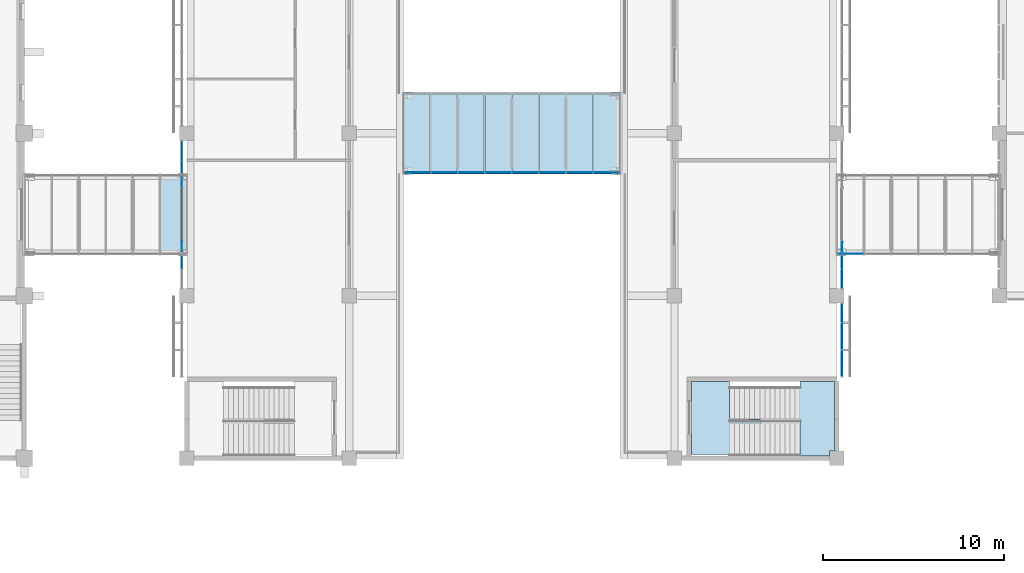
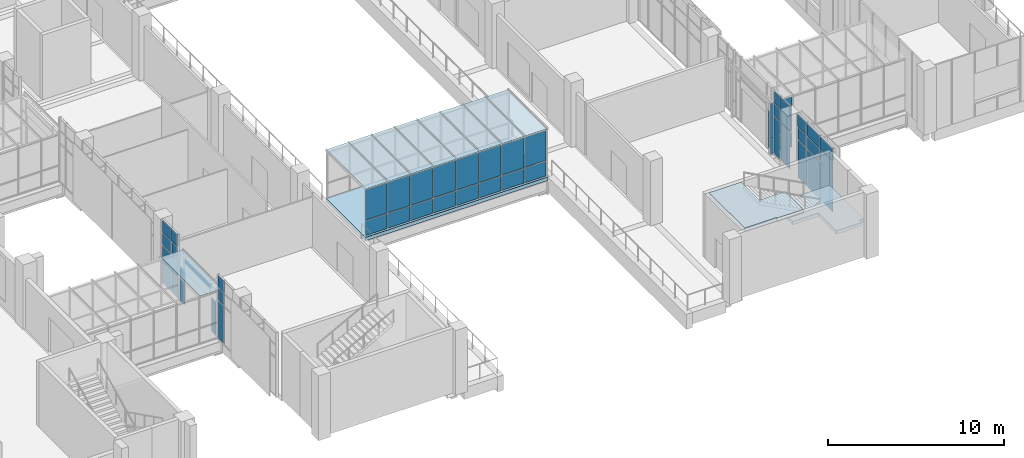
# One storey, part 42 of 88: 55 plates, 3 slabs, 11 elements without a shape of their own.
"""IFC4 building model written with IfcOpenShell, lengths in metres."""

from ifc_helpers import new_model, si_unit, direction, frame, origin, origin_2d, place, context, subcontext, project, spatial, polyline, rectangle, outline, extrude, material, layer, layer_set, type_object, element, aggregate, save


model = new_model("IFC4")

# Units and contexts
model_context = context("Model", 3, precision=1e-05, world=origin(), true_north=direction((0.0, 1.0)))
body_context = subcontext(model_context, "Body", "Model", "MODEL_VIEW")
ifc_project = project(units=[si_unit("LENGTHUNIT", "METRE"), si_unit("AREAUNIT", "SQUARE_METRE"), si_unit("VOLUMEUNIT", "CUBIC_METRE"), si_unit("PLANEANGLEUNIT", "RADIAN"), si_unit("MASSUNIT", "GRAM", prefix="KILO")], contexts=[model_context])

# Site, building, storey
site_placement = place(None, origin())
site = spatial("IfcSite", under=ifc_project, at=site_placement, CompositionType="ELEMENT")
building_placement = place(site_placement, origin())
building = spatial("IfcBuilding", under=site, at=building_placement, Name="Guidao Yard Department Store", CompositionType="ELEMENT")
storey_placement = place(building_placement, frame((0.0, 0.0, 6.0)))
storey = spatial("IfcBuildingStorey", under=building, at=storey_placement, Name="L01", CompositionType="ELEMENT", Elevation=6.0)

# Slab
ifc_material_1 = material(Name="Concrete C35", Category="concrete")
ifc_layer_1 = layer(ifc_material_1, 0.25)
ifc_layer_set_1 = layer_set([ifc_layer_1], Name="Bridge deck slab 250 C35")
slab_type_1 = type_object("IfcSlabType", Name="Bridge deck slab 250 C35", PredefinedType="FLOOR", material=ifc_layer_set_1)
slab_1_placement = place(storey_placement, frame((0.0, 0.0, -0.25)))
element("IfcSlab", 1, at=slab_1_placement, inside=storey, type_object=slab_type_1, Name="Slab BR09", PredefinedType="FLOOR", context=body_context, shape_type="SweptSolid", body=[
    extrude(outline(polyline([(95.985107421875, 60.75), (84.0, 60.75), (84.0, 65.25), (95.985107421875, 65.25), (95.985107421875, 60.75)])), origin(), (0.0, 0.0, 1.0), 0.25),
])

# Curtain wall, plate
ifc_material_2 = material(Name="Aluminium and glass", Category="aluminium")
ifc_layer_2 = layer(ifc_material_2, 0.159912109375)
ifc_layer_set_2 = layer_set([ifc_layer_2], Name="Bridge glazing CW5 1500 module")
curtain_wall_type_1 = type_object("IfcCurtainWallType", Name="Bridge glazing CW5 1500 module", PredefinedType="NOTDEFINED", material=ifc_layer_set_2)
curtain_wall_1_placement = place(storey_placement, origin())
curtain_wall_1 = element("IfcCurtainWall", 2, at=curtain_wall_1_placement, inside=storey, type_object=curtain_wall_type_1, Name="Bridge roof glazing BR01", PredefinedType="NOTDEFINED")
ifc_material_3 = material(Name="Laminated glass", Category="glass")
ifc_layer_3 = layer(ifc_material_3, 0.017578125)
ifc_layer_set_3 = layer_set([ifc_layer_3], Name="Bridge roof glass BG1 laminated 8+8 fritted")
plate_type_1 = type_object("IfcPlateType", Name="Bridge roof glass BG1 laminated 8+8 fritted", PredefinedType="CURTAIN_PANEL", material=ifc_layer_set_3)
plate_1_placement = place(storey_placement, frame((71.257568359375, 58.5, 3.34130859375), z_axis=(0.0, 0.0, 1.0), x_axis=(1.0, 0.0, 0.0)))
plate_1 = element("IfcPlate", 3, at=plate_1_placement, type_object=plate_type_1, Name="Bridge roof glass BR01", PredefinedType="CURTAIN_PANEL", context=body_context, shape_type="SweptSolid", body=[
    extrude(rectangle(XDim=1.425048828125, YDim=4.5, at=origin_2d()), origin(), (0.0, 0.0, 1.0), 0.017578125),
])
aggregate(curtain_wall_1, [plate_1])

# Curtain wall, plates
curtain_wall_2_placement = place(storey_placement, origin())
curtain_wall_2 = element("IfcCurtainWall", 4, at=curtain_wall_2_placement, inside=storey, type_object=curtain_wall_type_1, Name="Bridge roof glazing BR09", PredefinedType="NOTDEFINED")
plate_2_placement = place(storey_placement, frame((84.75, 63.0, 3.34130859375), z_axis=(0.0, 0.0, 1.0), x_axis=(1.0, 0.0, 0.0)))
plate_2 = element("IfcPlate", 5, at=plate_2_placement, type_object=plate_type_1, Name="Bridge roof glass BR09", PredefinedType="CURTAIN_PANEL", context=body_context, shape_type="SweptSolid", body=[
    extrude(rectangle(XDim=1.43994140625, YDim=4.5, at=origin_2d()), origin(), (0.0, 0.0, 1.0), 0.017578125),
])
plate_3_placement = place(storey_placement, frame((86.25, 63.0, 3.34130859375), z_axis=(0.0, 0.0, 1.0), x_axis=(1.0, 0.0, 0.0)))
plate_3 = element("IfcPlate", 6, at=plate_3_placement, type_object=plate_type_1, Name="Bridge roof glass BR09", PredefinedType="CURTAIN_PANEL", context=body_context, shape_type="SweptSolid", body=[
    extrude(rectangle(XDim=1.43994140625, YDim=4.5, at=origin_2d()), origin(), (0.0, 0.0, 1.0), 0.017578125),
])
plate_4_placement = place(storey_placement, frame((87.75, 63.0, 3.34130859375), z_axis=(0.0, 0.0, 1.0), x_axis=(1.0, 0.0, 0.0)))
plate_4 = element("IfcPlate", 7, at=plate_4_placement, type_object=plate_type_1, Name="Bridge roof glass BR09", PredefinedType="CURTAIN_PANEL", context=body_context, shape_type="SweptSolid", body=[
    extrude(rectangle(XDim=1.43994140625, YDim=4.5, at=origin_2d()), origin(), (0.0, 0.0, 1.0), 0.017578125),
])
plate_5_placement = place(storey_placement, frame((89.25, 63.0, 3.34130859375), z_axis=(0.0, 0.0, 1.0), x_axis=(1.0, 0.0, 0.0)))
plate_5 = element("IfcPlate", 8, at=plate_5_placement, type_object=plate_type_1, Name="Bridge roof glass BR09", PredefinedType="CURTAIN_PANEL", context=body_context, shape_type="SweptSolid", body=[
    extrude(rectangle(XDim=1.43994140625, YDim=4.5, at=origin_2d()), origin(), (0.0, 0.0, 1.0), 0.017578125),
])
plate_6_placement = place(storey_placement, frame((90.75, 63.0, 3.34130859375), z_axis=(0.0, 0.0, 1.0), x_axis=(1.0, 0.0, 0.0)))
plate_6 = element("IfcPlate", 9, at=plate_6_placement, type_object=plate_type_1, Name="Bridge roof glass BR09", PredefinedType="CURTAIN_PANEL", context=body_context, shape_type="SweptSolid", body=[
    extrude(rectangle(XDim=1.43994140625, YDim=4.5, at=origin_2d()), origin(), (0.0, 0.0, 1.0), 0.017578125),
])
plate_7_placement = place(storey_placement, frame((92.25, 63.0, 3.34130859375), z_axis=(0.0, 0.0, 1.0), x_axis=(1.0, 0.0, 0.0)))
plate_7 = element("IfcPlate", 10, at=plate_7_placement, type_object=plate_type_1, Name="Bridge roof glass BR09", PredefinedType="CURTAIN_PANEL", context=body_context, shape_type="SweptSolid", body=[
    extrude(rectangle(XDim=1.43994140625, YDim=4.5, at=origin_2d()), origin(), (0.0, 0.0, 1.0), 0.017578125),
])
plate_8_placement = place(storey_placement, frame((93.75, 63.0, 3.34130859375), z_axis=(0.0, 0.0, 1.0), x_axis=(1.0, 0.0, 0.0)))
plate_8 = element("IfcPlate", 11, at=plate_8_placement, type_object=plate_type_1, Name="Bridge roof glass BR09", PredefinedType="CURTAIN_PANEL", context=body_context, shape_type="SweptSolid", body=[
    extrude(rectangle(XDim=1.43994140625, YDim=4.5, at=origin_2d()), origin(), (0.0, 0.0, 1.0), 0.017578125),
])
plate_9_placement = place(storey_placement, frame((95.242431640625, 63.0, 3.34130859375), z_axis=(0.0, 0.0, 1.0), x_axis=(1.0, 0.0, 0.0)))
plate_9 = element("IfcPlate", 12, at=plate_9_placement, type_object=plate_type_1, Name="Bridge roof glass BR09", PredefinedType="CURTAIN_PANEL", context=body_context, shape_type="SweptSolid", body=[
    extrude(rectangle(XDim=1.425048828125, YDim=4.5, at=origin_2d()), origin(), (0.0, 0.0, 1.0), 0.017578125),
])
aggregate(curtain_wall_2, [plate_2, plate_3, plate_4, plate_5, plate_6, plate_7, plate_8, plate_9])

# Curtain wall, plate
ifc_material_4 = material(Name="Aluminium and glass", Category="aluminium")
ifc_layer_4 = layer(ifc_material_4, 0.159912109375)
ifc_layer_set_4 = layer_set([ifc_layer_4], Name="Shopfront curtain wall CW1 1500 module")
curtain_wall_type_2 = type_object("IfcCurtainWallType", Name="Shopfront curtain wall CW1 1500 module", PredefinedType="NOTDEFINED", material=ifc_layer_set_4)
curtain_wall_3_placement = place(storey_placement, origin())
curtain_wall_3 = element("IfcCurtainWall", 13, at=curtain_wall_3_placement, inside=storey, type_object=curtain_wall_type_2, Name="Arcade shop front", PredefinedType="NOTDEFINED")
ifc_material_5 = material(Name="Aluminium 6063-T5 faced insulated spandrel", Category="aluminium")
ifc_layer_5 = layer(ifc_material_5, 0.06005859375)
ifc_layer_set_5 = layer_set([ifc_layer_5], Name="Spandrel panel SP1 insulated opaque")
plate_type_2 = type_object("IfcPlateType", Name="Spandrel panel SP1 insulated opaque", PredefinedType="CURTAIN_PANEL", material=ifc_layer_set_5)
plate_10_placement = place(storey_placement, frame((71.719970703125, 55.860107421875, 3.6298828125), z_axis=(0.0, 0.0, 1.0), x_axis=(0.0, 1.0, 0.0)))
plate_10 = element("IfcPlate", 14, at=plate_10_placement, type_object=plate_type_2, Name="CW-AS-L01-02 panel 2.3", PredefinedType="CURTAIN_PANEL", context=body_context, shape_type="SweptSolid", body=[
    extrude(rectangle(XDim=0.659912109375, YDim=0.06005859375, at=origin_2d()), origin(), (0.0, 0.0, 1.0), 0.81005859375),
])

curtain_wall_4_placement = place(storey_placement, origin())
curtain_wall_4 = element("IfcCurtainWall", 15, at=curtain_wall_4_placement, inside=storey, type_object=curtain_wall_type_2, Name="Arcade shop front", PredefinedType="NOTDEFINED")
plate_11_placement = place(storey_placement, frame((71.719970703125, 58.5, 3.02978515625), z_axis=(0.0, 0.0, 1.0), x_axis=(0.0, 1.0, 0.0)))
plate_11 = element("IfcPlate", 16, at=plate_11_placement, type_object=plate_type_2, Name="CW-AS-L01-03 panel 2.2", PredefinedType="CURTAIN_PANEL", context=body_context, shape_type="SweptSolid", body=[
    extrude(rectangle(XDim=2.93994140625, YDim=0.06005859375, at=origin_2d()), origin(), (0.0, 0.0, 1.0), 0.260009765625),
])

# Curtain wall, plates
curtain_wall_5_placement = place(storey_placement, origin())
curtain_wall_5 = element("IfcCurtainWall", 17, at=curtain_wall_5_placement, inside=storey, type_object=curtain_wall_type_2, Name="Arcade shop front", PredefinedType="NOTDEFINED")
plate_12_placement = place(storey_placement, frame((71.719970703125, 61.139892578125, 3.6298828125), z_axis=(0.0, 0.0, 1.0), x_axis=(0.0, 1.0, 0.0)))
plate_12 = element("IfcPlate", 18, at=plate_12_placement, type_object=plate_type_2, Name="CW-AS-L01-04 panel 1.3", PredefinedType="CURTAIN_PANEL", context=body_context, shape_type="SweptSolid", body=[
    extrude(rectangle(XDim=0.659912109375, YDim=0.06005859375, at=origin_2d()), origin(), (0.0, 0.0, 1.0), 0.81005859375),
])
plate_13_placement = place(storey_placement, frame((71.719970703125, 62.034912109375, 3.6298828125), z_axis=(0.0, 0.0, 1.0), x_axis=(0.0, 1.0, 0.0)))
plate_13 = element("IfcPlate", 19, at=plate_13_placement, type_object=plate_type_2, Name="CW-AS-L01-04 panel 2.3", PredefinedType="CURTAIN_PANEL", context=body_context, shape_type="SweptSolid", body=[
    extrude(rectangle(XDim=1.010009765625, YDim=0.06005859375, at=origin_2d()), origin(), (0.0, 0.0, 1.0), 0.81005859375),
])

curtain_wall_6_placement = place(storey_placement, origin())
curtain_wall_6 = element("IfcCurtainWall", 20, at=curtain_wall_6_placement, inside=storey, type_object=curtain_wall_type_2, Name="Arcade shop front", PredefinedType="NOTDEFINED")
plate_14_placement = place(storey_placement, frame((108.280029296875, 50.264892578125, 3.6298828125), z_axis=(0.0, 0.0, 1.0), x_axis=(0.0, -1.0, 0.0)))
plate_14 = element("IfcPlate", 21, at=plate_14_placement, type_object=plate_type_2, Name="CW-AS-L01-12 panel 1.3", PredefinedType="CURTAIN_PANEL", context=body_context, shape_type="SweptSolid", body=[
    extrude(rectangle(XDim=1.409912109375, YDim=0.06005859375, at=origin_2d()), origin(), (0.0, 0.0, 1.0), 0.81005859375),
])
plate_15_placement = place(storey_placement, frame((108.280029296875, 51.75, 3.6298828125), z_axis=(0.0, 0.0, 1.0), x_axis=(0.0, -1.0, 0.0)))
plate_15 = element("IfcPlate", 22, at=plate_15_placement, type_object=plate_type_2, Name="CW-AS-L01-12 panel 2.3", PredefinedType="CURTAIN_PANEL", context=body_context, shape_type="SweptSolid", body=[
    extrude(rectangle(XDim=1.43994140625, YDim=0.06005859375, at=origin_2d()), origin(), (0.0, 0.0, 1.0), 0.81005859375),
])
plate_16_placement = place(storey_placement, frame((108.280029296875, 53.034912109375, 3.6298828125), z_axis=(0.0, 0.0, 1.0), x_axis=(0.0, -1.0, 0.0)))
plate_16 = element("IfcPlate", 23, at=plate_16_placement, type_object=plate_type_2, Name="CW-AS-L01-12 panel 3.3", PredefinedType="CURTAIN_PANEL", context=body_context, shape_type="SweptSolid", body=[
    extrude(rectangle(XDim=1.010009765625, YDim=0.06005859375, at=origin_2d()), origin(), (0.0, 0.0, 1.0), 0.81005859375),
])

curtain_wall_7_placement = place(storey_placement, origin())
curtain_wall_7 = element("IfcCurtainWall", 24, at=curtain_wall_7_placement, inside=storey, type_object=curtain_wall_type_2, Name="Arcade shop front", PredefinedType="NOTDEFINED")
plate_17_placement = place(storey_placement, frame((108.280029296875, 54.965087890625, 3.6298828125), z_axis=(0.0, 0.0, 1.0), x_axis=(0.0, -1.0, 0.0)))
plate_17 = element("IfcPlate", 25, at=plate_17_placement, type_object=plate_type_2, Name="CW-AS-L01-13 panel 1.3", PredefinedType="CURTAIN_PANEL", context=body_context, shape_type="SweptSolid", body=[
    extrude(rectangle(XDim=1.010009765625, YDim=0.06005859375, at=origin_2d()), origin(), (0.0, 0.0, 1.0), 0.81005859375),
])
plate_18_placement = place(storey_placement, frame((108.280029296875, 55.860107421875, 3.6298828125), z_axis=(0.0, 0.0, 1.0), x_axis=(0.0, -1.0, 0.0)))
plate_18 = element("IfcPlate", 26, at=plate_18_placement, type_object=plate_type_2, Name="CW-AS-L01-13 panel 2.3", PredefinedType="CURTAIN_PANEL", context=body_context, shape_type="SweptSolid", body=[
    extrude(rectangle(XDim=0.659912109375, YDim=0.06005859375, at=origin_2d()), origin(), (0.0, 0.0, 1.0), 0.81005859375),
])

# Stair, slabs
ifc_material_6 = material(Name="Concrete C35", Category="concrete")
stair_type = type_object("IfcStairType", Name="Stair half-turn two-flight 1800 wide 4.5 m rise", PredefinedType="HALF_TURN_STAIR", material=ifc_material_6)
stair_placement = place(storey_placement, origin())
stair = element("IfcStair", 27, at=stair_placement, inside=storey, type_object=stair_type, Name="Stair G3 L01 to L02", PredefinedType="HALF_TURN_STAIR")
ifc_material_7 = material(Name="Concrete C35", Category="concrete")
ifc_layer_6 = layer(ifc_material_7, 0.25)
ifc_layer_set_6 = layer_set([ifc_layer_6], Name="Stair landing RC 250 C35")
slab_type_2 = type_object("IfcSlabType", Name="Stair landing RC 250 C35", PredefinedType="LANDING", material=ifc_layer_set_6)
slab_2_placement = place(storey_placement, frame((0.0, 0.0, 2.0)))
slab_2 = element("IfcSlab", 28, at=slab_2_placement, type_object=slab_type_2, Name="SG3-L01 landing 1", PredefinedType="LANDING", context=body_context, shape_type="SweptSolid", body=[
    extrude(outline(polyline([(105.9599609375, 47.175048828125), (104.251953125, 47.175048828125), (104.251953125, 48.97509765625), (105.969970703125, 48.97509765625), (105.969970703125, 49.25), (107.875, 49.25), (107.875, 45.39990234375), (107.60009765625, 45.39990234375), (107.60009765625, 45.125), (105.969970703125, 45.125), (105.9599609375, 45.125), (105.9599609375, 47.175048828125)])), origin(), (0.0, 0.0, 1.0), 0.25),
])
slab_3_placement = place(storey_placement, frame((0.0, 0.0, 4.25)))
slab_3 = element("IfcSlab", 29, at=slab_3_placement, type_object=slab_type_2, Name="SG3-L01 landing 2", PredefinedType="LANDING", context=body_context, shape_type="SweptSolid", body=[
    extrude(outline(polyline([(103.76806640625, 45.125), (102.050048828125, 45.125), (102.050048828125, 45.199951171875), (99.949951171875, 45.199951171875), (99.949951171875, 47.175048828125), (99.949951171875, 49.25), (102.06005859375, 49.25), (102.06005859375, 47.175048828125), (103.76806640625, 47.175048828125), (103.76806640625, 45.125)])), origin(), (0.0, 0.0, 1.0), 0.25),
])
aggregate(stair, [slab_2, slab_3])

# Plate
ifc_material_8 = material(Name="Laminated heat-soaked tempered glass", Category="glass")
ifc_layer_7 = layer(ifc_material_8, 0.017578125)
ifc_layer_set_7 = layer_set([ifc_layer_7], Name="Vision glass VG1 laminated heat-soaked tempered 8+8")
plate_type_3 = type_object("IfcPlateType", Name="Vision glass VG1 laminated heat-soaked tempered 8+8", PredefinedType="CURTAIN_PANEL", material=ifc_layer_set_7)
plate_19_placement = place(storey_placement, frame((71.719970703125, 55.860107421875, 0.06005859375), z_axis=(0.0, 0.0, 1.0), x_axis=(0.0, 1.0, 0.0)))
plate_19 = element("IfcPlate", 30, at=plate_19_placement, type_object=plate_type_3, Name="CW-AS-L01-02 panel 2.1", PredefinedType="CURTAIN_PANEL", context=body_context, shape_type="SweptSolid", body=[
    extrude(rectangle(XDim=0.659912109375, YDim=0.017578125, at=origin_2d()), origin(), (0.0, 0.0, 1.0), 2.610107421875),
])

plate_20_placement = place(storey_placement, frame((71.719970703125, 55.860107421875, 2.72998046875), z_axis=(0.0, 0.0, 1.0), x_axis=(0.0, 1.0, 0.0)))
plate_20 = element("IfcPlate", 31, at=plate_20_placement, type_object=plate_type_3, Name="CW-AS-L01-02 panel 2.2", PredefinedType="CURTAIN_PANEL", context=body_context, shape_type="SweptSolid", body=[
    extrude(rectangle(XDim=0.659912109375, YDim=0.017578125, at=origin_2d()), origin(), (0.0, 0.0, 1.0), 0.840087890625),
])

aggregate(curtain_wall_3, [plate_19, plate_20, plate_10])

plate_21_placement = place(storey_placement, frame((71.719970703125, 56.719970703125, 0.06005859375), z_axis=(0.0, 0.0, 1.0), x_axis=(0.0, 1.0, 0.0)))
plate_21 = element("IfcPlate", 32, at=plate_21_placement, type_object=plate_type_3, Name="CW-AS-L01-03 panel 1.1", PredefinedType="CURTAIN_PANEL", context=body_context, shape_type="SweptSolid", body=[
    extrude(rectangle(XDim=0.5, YDim=0.017578125, at=origin_2d()), origin(), (0.0, 0.0, 1.0), 2.360107421875),
])

plate_22_placement = place(storey_placement, frame((71.719970703125, 60.280029296875, 0.06005859375), z_axis=(0.0, 0.0, 1.0), x_axis=(0.0, 1.0, 0.0)))
plate_22 = element("IfcPlate", 33, at=plate_22_placement, type_object=plate_type_3, Name="CW-AS-L01-03 panel 3.1", PredefinedType="CURTAIN_PANEL", context=body_context, shape_type="SweptSolid", body=[
    extrude(rectangle(XDim=0.5, YDim=0.017578125, at=origin_2d()), origin(), (0.0, 0.0, 1.0), 2.360107421875),
])

aggregate(curtain_wall_4, [plate_21, plate_11, plate_22])

plate_23_placement = place(storey_placement, frame((71.719970703125, 61.139892578125, 0.06005859375), z_axis=(0.0, 0.0, 1.0), x_axis=(0.0, 1.0, 0.0)))
plate_23 = element("IfcPlate", 34, at=plate_23_placement, type_object=plate_type_3, Name="CW-AS-L01-04 panel 1.1", PredefinedType="CURTAIN_PANEL", context=body_context, shape_type="SweptSolid", body=[
    extrude(rectangle(XDim=0.659912109375, YDim=0.017578125, at=origin_2d()), origin(), (0.0, 0.0, 1.0), 2.610107421875),
])

plate_24_placement = place(storey_placement, frame((71.719970703125, 61.139892578125, 2.72998046875), z_axis=(0.0, 0.0, 1.0), x_axis=(0.0, 1.0, 0.0)))
plate_24 = element("IfcPlate", 35, at=plate_24_placement, type_object=plate_type_3, Name="CW-AS-L01-04 panel 1.2", PredefinedType="CURTAIN_PANEL", context=body_context, shape_type="SweptSolid", body=[
    extrude(rectangle(XDim=0.659912109375, YDim=0.017578125, at=origin_2d()), origin(), (0.0, 0.0, 1.0), 0.840087890625),
])

plate_25_placement = place(storey_placement, frame((71.719970703125, 62.034912109375, 0.06005859375), z_axis=(0.0, 0.0, 1.0), x_axis=(0.0, 1.0, 0.0)))
plate_25 = element("IfcPlate", 36, at=plate_25_placement, type_object=plate_type_3, Name="CW-AS-L01-04 panel 2.1", PredefinedType="CURTAIN_PANEL", context=body_context, shape_type="SweptSolid", body=[
    extrude(rectangle(XDim=1.010009765625, YDim=0.017578125, at=origin_2d()), origin(), (0.0, 0.0, 1.0), 2.610107421875),
])

plate_26_placement = place(storey_placement, frame((71.719970703125, 62.034912109375, 2.72998046875), z_axis=(0.0, 0.0, 1.0), x_axis=(0.0, 1.0, 0.0)))
plate_26 = element("IfcPlate", 37, at=plate_26_placement, type_object=plate_type_3, Name="CW-AS-L01-04 panel 2.2", PredefinedType="CURTAIN_PANEL", context=body_context, shape_type="SweptSolid", body=[
    extrude(rectangle(XDim=1.010009765625, YDim=0.017578125, at=origin_2d()), origin(), (0.0, 0.0, 1.0), 0.840087890625),
])

aggregate(curtain_wall_5, [plate_23, plate_24, plate_12, plate_25, plate_26, plate_13])

plate_27_placement = place(storey_placement, frame((108.280029296875, 50.264892578125, 0.06005859375), z_axis=(0.0, 0.0, 1.0), x_axis=(0.0, -1.0, 0.0)))
plate_27 = element("IfcPlate", 38, at=plate_27_placement, type_object=plate_type_3, Name="CW-AS-L01-12 panel 1.1", PredefinedType="CURTAIN_PANEL", context=body_context, shape_type="SweptSolid", body=[
    extrude(rectangle(XDim=1.409912109375, YDim=0.017578125, at=origin_2d()), origin(), (0.0, 0.0, 1.0), 2.610107421875),
])

plate_28_placement = place(storey_placement, frame((108.280029296875, 50.264892578125, 2.72998046875), z_axis=(0.0, 0.0, 1.0), x_axis=(0.0, -1.0, 0.0)))
plate_28 = element("IfcPlate", 39, at=plate_28_placement, type_object=plate_type_3, Name="CW-AS-L01-12 panel 1.2", PredefinedType="CURTAIN_PANEL", context=body_context, shape_type="SweptSolid", body=[
    extrude(rectangle(XDim=1.409912109375, YDim=0.017578125, at=origin_2d()), origin(), (0.0, 0.0, 1.0), 0.840087890625),
])

plate_29_placement = place(storey_placement, frame((108.280029296875, 51.75, 0.06005859375), z_axis=(0.0, 0.0, 1.0), x_axis=(0.0, -1.0, 0.0)))
plate_29 = element("IfcPlate", 40, at=plate_29_placement, type_object=plate_type_3, Name="CW-AS-L01-12 panel 2.1", PredefinedType="CURTAIN_PANEL", context=body_context, shape_type="SweptSolid", body=[
    extrude(rectangle(XDim=1.43994140625, YDim=0.017578125, at=origin_2d()), origin(), (0.0, 0.0, 1.0), 2.610107421875),
])

plate_30_placement = place(storey_placement, frame((108.280029296875, 51.75, 2.72998046875), z_axis=(0.0, 0.0, 1.0), x_axis=(0.0, -1.0, 0.0)))
plate_30 = element("IfcPlate", 41, at=plate_30_placement, type_object=plate_type_3, Name="CW-AS-L01-12 panel 2.2", PredefinedType="CURTAIN_PANEL", context=body_context, shape_type="SweptSolid", body=[
    extrude(rectangle(XDim=1.43994140625, YDim=0.017578125, at=origin_2d()), origin(), (0.0, 0.0, 1.0), 0.840087890625),
])

plate_31_placement = place(storey_placement, frame((108.280029296875, 53.034912109375, 0.06005859375), z_axis=(0.0, 0.0, 1.0), x_axis=(0.0, -1.0, 0.0)))
plate_31 = element("IfcPlate", 42, at=plate_31_placement, type_object=plate_type_3, Name="CW-AS-L01-12 panel 3.1", PredefinedType="CURTAIN_PANEL", context=body_context, shape_type="SweptSolid", body=[
    extrude(rectangle(XDim=1.010009765625, YDim=0.017578125, at=origin_2d()), origin(), (0.0, 0.0, 1.0), 2.610107421875),
])

plate_32_placement = place(storey_placement, frame((108.280029296875, 53.034912109375, 2.72998046875), z_axis=(0.0, 0.0, 1.0), x_axis=(0.0, -1.0, 0.0)))
plate_32 = element("IfcPlate", 43, at=plate_32_placement, type_object=plate_type_3, Name="CW-AS-L01-12 panel 3.2", PredefinedType="CURTAIN_PANEL", context=body_context, shape_type="SweptSolid", body=[
    extrude(rectangle(XDim=1.010009765625, YDim=0.017578125, at=origin_2d()), origin(), (0.0, 0.0, 1.0), 0.840087890625),
])

aggregate(curtain_wall_6, [plate_27, plate_28, plate_14, plate_29, plate_30, plate_15, plate_31, plate_32, plate_16])

plate_33_placement = place(storey_placement, frame((108.280029296875, 54.965087890625, 0.06005859375), z_axis=(0.0, 0.0, 1.0), x_axis=(0.0, -1.0, 0.0)))
plate_33 = element("IfcPlate", 44, at=plate_33_placement, type_object=plate_type_3, Name="CW-AS-L01-13 panel 1.1", PredefinedType="CURTAIN_PANEL", context=body_context, shape_type="SweptSolid", body=[
    extrude(rectangle(XDim=1.010009765625, YDim=0.017578125, at=origin_2d()), origin(), (0.0, 0.0, 1.0), 2.610107421875),
])

plate_34_placement = place(storey_placement, frame((108.280029296875, 54.965087890625, 2.72998046875), z_axis=(0.0, 0.0, 1.0), x_axis=(0.0, -1.0, 0.0)))
plate_34 = element("IfcPlate", 45, at=plate_34_placement, type_object=plate_type_3, Name="CW-AS-L01-13 panel 1.2", PredefinedType="CURTAIN_PANEL", context=body_context, shape_type="SweptSolid", body=[
    extrude(rectangle(XDim=1.010009765625, YDim=0.017578125, at=origin_2d()), origin(), (0.0, 0.0, 1.0), 0.840087890625),
])

plate_35_placement = place(storey_placement, frame((108.280029296875, 55.860107421875, 0.06005859375), z_axis=(0.0, 0.0, 1.0), x_axis=(0.0, -1.0, 0.0)))
plate_35 = element("IfcPlate", 46, at=plate_35_placement, type_object=plate_type_3, Name="CW-AS-L01-13 panel 2.1", PredefinedType="CURTAIN_PANEL", context=body_context, shape_type="SweptSolid", body=[
    extrude(rectangle(XDim=0.659912109375, YDim=0.017578125, at=origin_2d()), origin(), (0.0, 0.0, 1.0), 2.610107421875),
])

plate_36_placement = place(storey_placement, frame((108.280029296875, 55.860107421875, 2.72998046875), z_axis=(0.0, 0.0, 1.0), x_axis=(0.0, -1.0, 0.0)))
plate_36 = element("IfcPlate", 47, at=plate_36_placement, type_object=plate_type_3, Name="CW-AS-L01-13 panel 2.2", PredefinedType="CURTAIN_PANEL", context=body_context, shape_type="SweptSolid", body=[
    extrude(rectangle(XDim=0.659912109375, YDim=0.017578125, at=origin_2d()), origin(), (0.0, 0.0, 1.0), 0.840087890625),
])

aggregate(curtain_wall_7, [plate_33, plate_34, plate_17, plate_35, plate_36, plate_18])

# Curtain wall, plate
curtain_wall_8_placement = place(storey_placement, origin())
curtain_wall_8 = element("IfcCurtainWall", 48, at=curtain_wall_8_placement, inside=storey, type_object=curtain_wall_type_2, Name="Arcade shop front", PredefinedType="NOTDEFINED")
plate_37_placement = place(storey_placement, frame((108.280029296875, 56.719970703125, 0.06005859375), z_axis=(0.0, 0.0, 1.0), x_axis=(0.0, -1.0, 0.0)))
plate_37 = element("IfcPlate", 49, at=plate_37_placement, type_object=plate_type_3, Name="CW-AS-L01-14 panel 1.1", PredefinedType="CURTAIN_PANEL", context=body_context, shape_type="SweptSolid", body=[
    extrude(rectangle(XDim=0.5, YDim=0.017578125, at=origin_2d()), origin(), (0.0, 0.0, 1.0), 2.610107421875),
])
aggregate(curtain_wall_8, [plate_37])

# Curtain wall, plates
curtain_wall_9_placement = place(storey_placement, origin())
curtain_wall_9 = element("IfcCurtainWall", 50, at=curtain_wall_9_placement, inside=storey, type_object=curtain_wall_type_1, Name="Bridge glazing BR06 S", PredefinedType="NOTDEFINED")
plate_38_placement = place(storey_placement, frame((108.764892578125, 56.330078125, 0.06005859375), z_axis=(0.0, 0.0, 1.0), x_axis=(-1.0, 0.0, 0.0)))
plate_38 = element("IfcPlate", 51, at=plate_38_placement, type_object=plate_type_3, Name="CW-S-L01-05 panel 1.1", PredefinedType="CURTAIN_PANEL", context=body_context, shape_type="SweptSolid", body=[
    extrude(rectangle(XDim=1.409912109375, YDim=0.017578125, at=origin_2d()), origin(), (0.0, 0.0, 1.0), 1.010009765625),
])
plate_39_placement = place(storey_placement, frame((108.764892578125, 56.330078125, 1.1298828125), z_axis=(0.0, 0.0, 1.0), x_axis=(-1.0, 0.0, 0.0)))
plate_39 = element("IfcPlate", 52, at=plate_39_placement, type_object=plate_type_3, Name="CW-S-L01-05 panel 1.2", PredefinedType="CURTAIN_PANEL", context=body_context, shape_type="SweptSolid", body=[
    extrude(rectangle(XDim=1.409912109375, YDim=0.017578125, at=origin_2d()), origin(), (0.0, 0.0, 1.0), 2.409912109375),
])
aggregate(curtain_wall_9, [plate_38, plate_39])

curtain_wall_10_placement = place(storey_placement, origin())
curtain_wall_10 = element("IfcCurtainWall", 53, at=curtain_wall_10_placement, inside=storey, type_object=curtain_wall_type_1, Name="Bridge glazing BR09 S", PredefinedType="NOTDEFINED")
plate_40_placement = place(storey_placement, frame((84.764892578125, 60.830078125, 0.06005859375), z_axis=(0.0, 0.0, 1.0), x_axis=(-1.0, 0.0, 0.0)))
plate_40 = element("IfcPlate", 54, at=plate_40_placement, type_object=plate_type_3, Name="CW-S-L01-09 panel 1.1", PredefinedType="CURTAIN_PANEL", context=body_context, shape_type="SweptSolid", body=[
    extrude(rectangle(XDim=1.409912109375, YDim=0.017578125, at=origin_2d()), origin(), (0.0, 0.0, 1.0), 1.010009765625),
])
plate_41_placement = place(storey_placement, frame((84.764892578125, 60.830078125, 1.1298828125), z_axis=(0.0, 0.0, 1.0), x_axis=(-1.0, 0.0, 0.0)))
plate_41 = element("IfcPlate", 55, at=plate_41_placement, type_object=plate_type_3, Name="CW-S-L01-09 panel 1.2", PredefinedType="CURTAIN_PANEL", context=body_context, shape_type="SweptSolid", body=[
    extrude(rectangle(XDim=1.409912109375, YDim=0.017578125, at=origin_2d()), origin(), (0.0, 0.0, 1.0), 2.080078125),
])
plate_42_placement = place(storey_placement, frame((86.25, 60.830078125, 0.06005859375), z_axis=(0.0, 0.0, 1.0), x_axis=(-1.0, 0.0, 0.0)))
plate_42 = element("IfcPlate", 56, at=plate_42_placement, type_object=plate_type_3, Name="CW-S-L01-09 panel 2.1", PredefinedType="CURTAIN_PANEL", context=body_context, shape_type="SweptSolid", body=[
    extrude(rectangle(XDim=1.43994140625, YDim=0.017578125, at=origin_2d()), origin(), (0.0, 0.0, 1.0), 1.010009765625),
])
plate_43_placement = place(storey_placement, frame((86.25, 60.830078125, 1.1298828125), z_axis=(0.0, 0.0, 1.0), x_axis=(-1.0, 0.0, 0.0)))
plate_43 = element("IfcPlate", 57, at=plate_43_placement, type_object=plate_type_3, Name="CW-S-L01-09 panel 2.2", PredefinedType="CURTAIN_PANEL", context=body_context, shape_type="SweptSolid", body=[
    extrude(rectangle(XDim=1.43994140625, YDim=0.017578125, at=origin_2d()), origin(), (0.0, 0.0, 1.0), 2.080078125),
])
plate_44_placement = place(storey_placement, frame((87.75, 60.830078125, 0.06005859375), z_axis=(0.0, 0.0, 1.0), x_axis=(-1.0, 0.0, 0.0)))
plate_44 = element("IfcPlate", 58, at=plate_44_placement, type_object=plate_type_3, Name="CW-S-L01-09 panel 3.1", PredefinedType="CURTAIN_PANEL", context=body_context, shape_type="SweptSolid", body=[
    extrude(rectangle(XDim=1.43994140625, YDim=0.017578125, at=origin_2d()), origin(), (0.0, 0.0, 1.0), 1.010009765625),
])
plate_45_placement = place(storey_placement, frame((87.75, 60.830078125, 1.1298828125), z_axis=(0.0, 0.0, 1.0), x_axis=(-1.0, 0.0, 0.0)))
plate_45 = element("IfcPlate", 59, at=plate_45_placement, type_object=plate_type_3, Name="CW-S-L01-09 panel 3.2", PredefinedType="CURTAIN_PANEL", context=body_context, shape_type="SweptSolid", body=[
    extrude(rectangle(XDim=1.43994140625, YDim=0.017578125, at=origin_2d()), origin(), (0.0, 0.0, 1.0), 2.080078125),
])
plate_46_placement = place(storey_placement, frame((89.25, 60.830078125, 0.06005859375), z_axis=(0.0, 0.0, 1.0), x_axis=(-1.0, 0.0, 0.0)))
plate_46 = element("IfcPlate", 60, at=plate_46_placement, type_object=plate_type_3, Name="CW-S-L01-09 panel 4.1", PredefinedType="CURTAIN_PANEL", context=body_context, shape_type="SweptSolid", body=[
    extrude(rectangle(XDim=1.43994140625, YDim=0.017578125, at=origin_2d()), origin(), (0.0, 0.0, 1.0), 1.010009765625),
])
plate_47_placement = place(storey_placement, frame((89.25, 60.830078125, 1.1298828125), z_axis=(0.0, 0.0, 1.0), x_axis=(-1.0, 0.0, 0.0)))
plate_47 = element("IfcPlate", 61, at=plate_47_placement, type_object=plate_type_3, Name="CW-S-L01-09 panel 4.2", PredefinedType="CURTAIN_PANEL", context=body_context, shape_type="SweptSolid", body=[
    extrude(rectangle(XDim=1.43994140625, YDim=0.017578125, at=origin_2d()), origin(), (0.0, 0.0, 1.0), 2.080078125),
])
plate_48_placement = place(storey_placement, frame((90.75, 60.830078125, 0.06005859375), z_axis=(0.0, 0.0, 1.0), x_axis=(-1.0, 0.0, 0.0)))
plate_48 = element("IfcPlate", 62, at=plate_48_placement, type_object=plate_type_3, Name="CW-S-L01-09 panel 5.1", PredefinedType="CURTAIN_PANEL", context=body_context, shape_type="SweptSolid", body=[
    extrude(rectangle(XDim=1.43994140625, YDim=0.017578125, at=origin_2d()), origin(), (0.0, 0.0, 1.0), 1.010009765625),
])
plate_49_placement = place(storey_placement, frame((90.75, 60.830078125, 1.1298828125), z_axis=(0.0, 0.0, 1.0), x_axis=(-1.0, 0.0, 0.0)))
plate_49 = element("IfcPlate", 63, at=plate_49_placement, type_object=plate_type_3, Name="CW-S-L01-09 panel 5.2", PredefinedType="CURTAIN_PANEL", context=body_context, shape_type="SweptSolid", body=[
    extrude(rectangle(XDim=1.43994140625, YDim=0.017578125, at=origin_2d()), origin(), (0.0, 0.0, 1.0), 2.080078125),
])
plate_50_placement = place(storey_placement, frame((92.25, 60.830078125, 0.06005859375), z_axis=(0.0, 0.0, 1.0), x_axis=(-1.0, 0.0, 0.0)))
plate_50 = element("IfcPlate", 64, at=plate_50_placement, type_object=plate_type_3, Name="CW-S-L01-09 panel 6.1", PredefinedType="CURTAIN_PANEL", context=body_context, shape_type="SweptSolid", body=[
    extrude(rectangle(XDim=1.43994140625, YDim=0.017578125, at=origin_2d()), origin(), (0.0, 0.0, 1.0), 1.010009765625),
])
plate_51_placement = place(storey_placement, frame((92.25, 60.830078125, 1.1298828125), z_axis=(0.0, 0.0, 1.0), x_axis=(-1.0, 0.0, 0.0)))
plate_51 = element("IfcPlate", 65, at=plate_51_placement, type_object=plate_type_3, Name="CW-S-L01-09 panel 6.2", PredefinedType="CURTAIN_PANEL", context=body_context, shape_type="SweptSolid", body=[
    extrude(rectangle(XDim=1.43994140625, YDim=0.017578125, at=origin_2d()), origin(), (0.0, 0.0, 1.0), 2.080078125),
])
plate_52_placement = place(storey_placement, frame((93.75, 60.830078125, 0.06005859375), z_axis=(0.0, 0.0, 1.0), x_axis=(-1.0, 0.0, 0.0)))
plate_52 = element("IfcPlate", 66, at=plate_52_placement, type_object=plate_type_3, Name="CW-S-L01-09 panel 7.1", PredefinedType="CURTAIN_PANEL", context=body_context, shape_type="SweptSolid", body=[
    extrude(rectangle(XDim=1.43994140625, YDim=0.017578125, at=origin_2d()), origin(), (0.0, 0.0, 1.0), 1.010009765625),
])
plate_53_placement = place(storey_placement, frame((93.75, 60.830078125, 1.1298828125), z_axis=(0.0, 0.0, 1.0), x_axis=(-1.0, 0.0, 0.0)))
plate_53 = element("IfcPlate", 67, at=plate_53_placement, type_object=plate_type_3, Name="CW-S-L01-09 panel 7.2", PredefinedType="CURTAIN_PANEL", context=body_context, shape_type="SweptSolid", body=[
    extrude(rectangle(XDim=1.43994140625, YDim=0.017578125, at=origin_2d()), origin(), (0.0, 0.0, 1.0), 2.080078125),
])
plate_54_placement = place(storey_placement, frame((95.2275390625, 60.830078125, 0.06005859375), z_axis=(0.0, 0.0, 1.0), x_axis=(-1.0, 0.0, 0.0)))
plate_54 = element("IfcPlate", 68, at=plate_54_placement, type_object=plate_type_3, Name="CW-S-L01-09 panel 8.1", PredefinedType="CURTAIN_PANEL", context=body_context, shape_type="SweptSolid", body=[
    extrude(rectangle(XDim=1.39501953125, YDim=0.017578125, at=origin_2d()), origin(), (0.0, 0.0, 1.0), 1.010009765625),
])
plate_55_placement = place(storey_placement, frame((95.2275390625, 60.830078125, 1.1298828125), z_axis=(0.0, 0.0, 1.0), x_axis=(-1.0, 0.0, 0.0)))
plate_55 = element("IfcPlate", 69, at=plate_55_placement, type_object=plate_type_3, Name="CW-S-L01-09 panel 8.2", PredefinedType="CURTAIN_PANEL", context=body_context, shape_type="SweptSolid", body=[
    extrude(rectangle(XDim=1.39501953125, YDim=0.017578125, at=origin_2d()), origin(), (0.0, 0.0, 1.0), 2.080078125),
])
aggregate(curtain_wall_10, [plate_40, plate_41, plate_42, plate_43, plate_44, plate_45, plate_46, plate_47, plate_48, plate_49, plate_50, plate_51, plate_52, plate_53, plate_54, plate_55])

save(model, "model.ifc")
